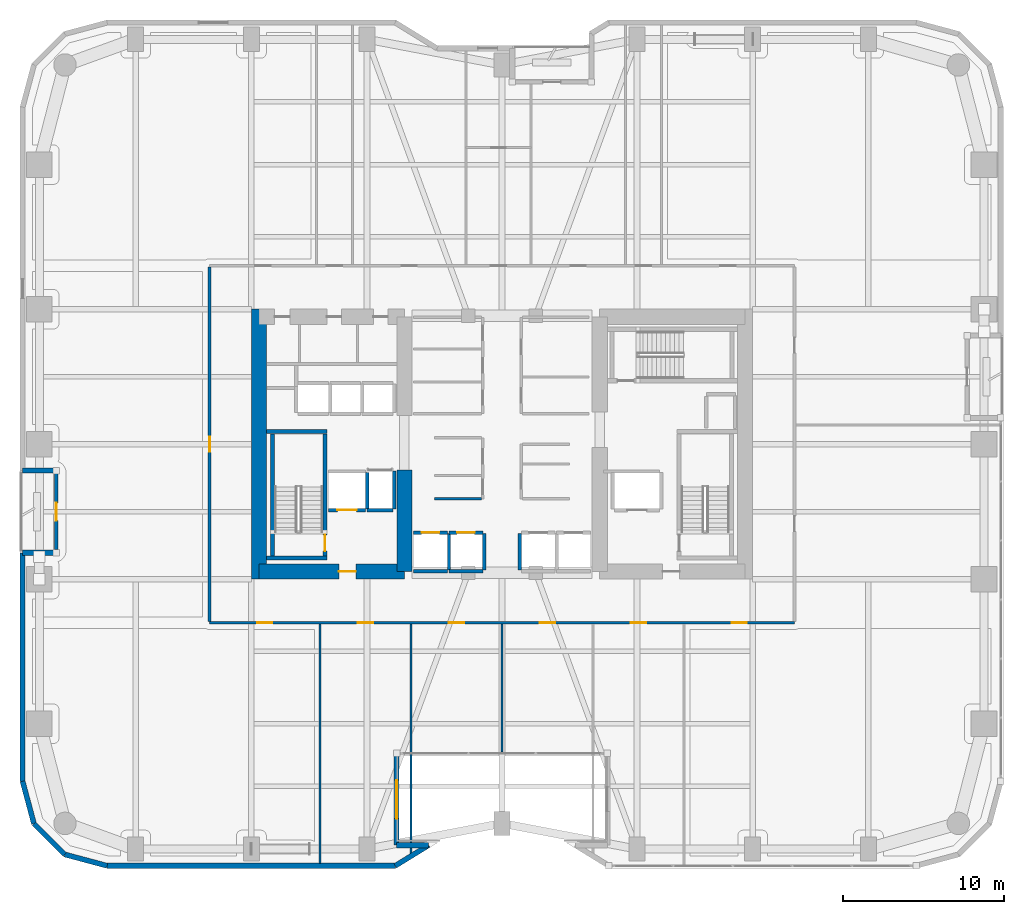
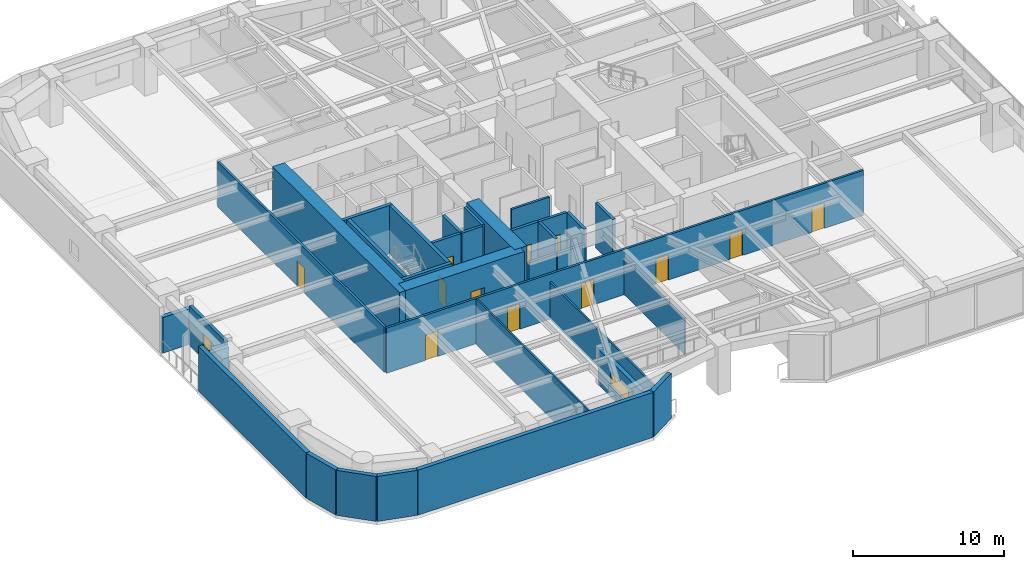
# One storey, part 18 of 26: 35 walls, 13 doors, 1 window, 14 openings.
"""IFC4 building model written with IfcOpenShell, lengths in metres."""

from ifc_helpers import new_model, si_unit, direction, frame, frame_2d, origin, place, context, subcontext, project, spatial, rectangle, extrude, material, layer, layer_set, type_object, element, fill, save


model = new_model("IFC4")

# Units and contexts
model_context = context("Model", 3, precision=1e-05, world=origin(), true_north=direction((0.0, 1.0)))
body_context = subcontext(model_context, "Body", "Model", "MODEL_VIEW")
ifc_project = project(units=[si_unit("LENGTHUNIT", "METRE"), si_unit("AREAUNIT", "SQUARE_METRE"), si_unit("VOLUMEUNIT", "CUBIC_METRE"), si_unit("PLANEANGLEUNIT", "RADIAN"), si_unit("MASSUNIT", "GRAM", prefix="KILO")], contexts=[model_context])

# Site, building, storey
site_placement = place(None, origin())
site = spatial("IfcSite", under=ifc_project, at=site_placement, CompositionType="ELEMENT")
building_placement = place(site_placement, origin())
building = spatial("IfcBuilding", under=site, at=building_placement, Name="Kiyonajd Concourse Tower", CompositionType="ELEMENT")
storey_placement = place(building_placement, frame((0.0, 0.0, 72.89990234375)))
storey = spatial("IfcBuildingStorey", under=building, at=storey_placement, Name="L19", CompositionType="ELEMENT", Elevation=72.89990234375)

# Walls
ifc_material_1 = material(Name="Concrete C80/95", Category="concrete")
ifc_layer_1 = layer(ifc_material_1, 0.949951171875)
ifc_layer_set_1 = layer_set([ifc_layer_1], Name="Concrete C80/95")
wall_type_1 = type_object("IfcWallType", Name="WL-CORE-950", PredefinedType="SHEAR", material=ifc_layer_set_1)
wall_1_placement = place(storey_placement, frame((32.875, 27.60009765625, 0.0), z_axis=(0.0, 0.0, 1.0), x_axis=(0.0, 1.0, 0.0)))
element("IfcWall", 1, at=wall_1_placement, inside=storey, type_object=wall_type_1, Name="L19 West Core Outer Shear Wall", PredefinedType="SHEAR", context=body_context, shape_type="SweptSolid", body=[
    extrude(rectangle(XDim=16.7998046875, YDim=0.949951171875, at=frame_2d((8.39990234375, 0.0))), origin(), (0.0, 0.0, 1.0), 3.900146484375),
])
wall_2_placement = place(storey_placement, frame((41.925048828125, 28.074951171875, 0.0), z_axis=(0.0, 0.0, 1.0), x_axis=(0.0, 1.0, 0.0)))
element("IfcWall", 2, at=wall_2_placement, inside=storey, type_object=wall_type_1, Name="L19 West Core Inner South Shear Wall", PredefinedType="SHEAR", context=body_context, shape_type="SweptSolid", body=[
    extrude(rectangle(XDim=6.324951171875, YDim=0.949951171875, at=frame_2d((3.16259765625, 0.0))), origin(), (0.0, 0.0, 1.0), 3.900146484375),
])

# Wall, opening, door
wall_3_placement = place(storey_placement, frame((32.875, 28.074951171875, 0.0), z_axis=(0.0, 0.0, 1.0), x_axis=(1.0, 0.0, 0.0)))
wall_3 = element("IfcWall", 3, at=wall_3_placement, inside=storey, type_object=wall_type_1, Name="L19 West Core South Shear Wall", PredefinedType="SHEAR", context=body_context, shape_type="SweptSolid", body=[
    extrude(rectangle(XDim=9.050048828125, YDim=0.949951171875, at=frame_2d((4.52490234375, 0.0))), origin(), (0.0, 0.0, 1.0), 3.900146484375),
])
opening_1_placement = place(wall_3_placement, frame((4.97509765625, 0.0, 0.0)))
opening_1 = element("IfcOpeningElement", 4, at=opening_1_placement, cuts=wall_3, Name="Opening DF5", PredefinedType="OPENING", context=body_context, shape_type="SweptSolid", body=[
    extrude(rectangle(XDim=1.050048828125, YDim=2.0400390625, at=frame_2d((0.52490234375, 1.02001953125))), frame((0.0, 0.48486328125, 0.0), z_axis=(0.0, -1.0, 0.0), x_axis=(1.0, 0.0, 0.0)), (0.0, 0.0, 1.0), 0.969970703125),
])
ifc_material_2 = material(Name="Brushed Stainless Steel Cab Assembly", Category="steel")
door_type_1 = type_object("IfcDoorType", Name="DR-FD45-1050", OperationType="NOTDEFINED", PredefinedType="DOOR", material=ifc_material_2)
door_1_placement = place(opening_1_placement, origin())
door_1 = element("IfcDoor", 5, at=door_1_placement, inside=storey, type_object=door_type_1, Name="L19 Firefighting Lift Lobby W Smoke Door", OperationType="SINGLE_SWING_LEFT", OverallHeight=2.0400390625, OverallWidth=1.050048828125, PredefinedType="DOOR", context=body_context, shape_type="SweptSolid", body=[
    extrude(rectangle(XDim=1.050048828125, YDim=2.0400390625, at=frame_2d((0.52490234375, 1.02001953125))), frame((0.0, 0.02490234375, 0.0), z_axis=(0.0, -1.0, 0.0), x_axis=(1.0, 0.0, 0.0)), (0.0, 0.0, 1.0), 0.050048828125),
])
fill(opening_1, door_1)

# Wall, opening, window
ifc_material_3 = material(Name="Precast concrete C50/60", Category="concrete")
ifc_layer_2 = layer(ifc_material_3, 0.320068359375)
ifc_layer_set_2 = layer_set([ifc_layer_2], Name="Precast concrete C50/60")
wall_type_2 = type_object("IfcWallType", Name="WL-EXT-320", PredefinedType="SOLIDWALL", material=ifc_layer_set_2)
wall_4_placement = place(storey_placement, frame((41.43994140625, 16.760009765625, 0.0), z_axis=(0.0, 0.0, 1.0), x_axis=(0.0, -1.0, 0.0)))
wall_4 = element("IfcWall", 6, at=wall_4_placement, inside=storey, type_object=wall_type_2, Name="L19 Exterior Concrete Frame Wall 14", PredefinedType="SOLIDWALL", context=body_context, shape_type="SweptSolid", body=[
    extrude(rectangle(XDim=5.719970703125, YDim=0.320068359375, at=frame_2d((2.85986328125, 0.0))), origin(), (0.0, 0.0, 1.0), 2.875),
])
opening_2_placement = place(wall_4_placement, frame((1.659912109375, 0.0, 0.85009765625)))
opening_2 = element("IfcOpeningElement", 7, at=opening_2_placement, cuts=wall_4, Name="Opening WN4", PredefinedType="OPENING", context=body_context, shape_type="SweptSolid", body=[
    extrude(rectangle(XDim=2.39990234375, YDim=1.14990234375, at=frame_2d((1.199951171875, 0.574951171875))), frame((0.0, 0.169921875, 0.0), z_axis=(0.0, -1.0, 0.0), x_axis=(1.0, 0.0, 0.0)), (0.0, 0.0, 1.0), 0.340087890625),
])
ifc_material_4 = material(Name="Double Low-E Insulated Glass", Category="glass")
window_type = type_object("IfcWindowType", Name="WN-VIS-2400x1150", PartitioningType="SINGLE_PANEL", PredefinedType="WINDOW", material=ifc_material_4)
window_placement = place(opening_2_placement, origin())
window = element("IfcWindow", 8, at=window_placement, inside=storey, type_object=window_type, Name="L19 Modular Facade Vision Window 14", OverallHeight=1.14990234375, OverallWidth=2.39990234375, PartitioningType="SINGLE_PANEL", PredefinedType="WINDOW", context=body_context, shape_type="SweptSolid", body=[
    extrude(rectangle(XDim=2.39990234375, YDim=1.14990234375, at=frame_2d((1.199951171875, 0.574951171875))), frame((0.0, 0.030029296875, 0.0), z_axis=(0.0, -1.0, 0.0), x_axis=(1.0, 0.0, 0.0)), (0.0, 0.0, 1.0), 0.06005859375),
])
fill(opening_2, window)

# Walls
wall_5_placement = place(storey_placement, frame((41.43994140625, 11.0400390625, 0.0), z_axis=(0.0, 0.0, 1.0), x_axis=(1.0, 0.0, 0.0)))
element("IfcWall", 9, at=wall_5_placement, inside=storey, type_object=wall_type_2, Name="L19 Exterior Concrete Frame Wall 15", PredefinedType="SOLIDWALL", context=body_context, shape_type="SweptSolid", body=[
    extrude(rectangle(XDim=1.994873046875, YDim=0.320068359375, at=frame_2d((0.99755859375, 0.0))), origin(), (0.0, 0.0, 1.0), 2.875),
])
wall_6_placement = place(storey_placement, frame((43.434814453125, 11.0400390625, 0.0), z_axis=(0.0, 0.0, 1.0), x_axis=(-0.8516617488, -0.524091848469, 0.0)))
element("IfcWall", 10, at=wall_6_placement, inside=storey, type_object=wall_type_2, Name="L19 Exterior Concrete Frame Wall 16", PredefinedType="SOLIDWALL", context=body_context, shape_type="SweptSolid", body=[
    extrude(rectangle(XDim=2.4423828125, YDim=0.320068359375, at=frame_2d((1.22119140625, 0.0))), origin(), (0.0, 0.0, 1.0), 3.64013671875),
])
wall_7_placement = place(storey_placement, frame((41.354736328125, 9.760009765625, 0.0), z_axis=(0.0, 0.0, 1.0), x_axis=(-1.0, 0.0, 0.0)))
element("IfcWall", 11, at=wall_7_placement, inside=storey, type_object=wall_type_2, Name="L19 Exterior Concrete Frame Wall 17", PredefinedType="SOLIDWALL", context=body_context, shape_type="SweptSolid", body=[
    extrude(rectangle(XDim=17.93359375, YDim=0.320068359375, at=frame_2d((8.966796875, 0.0))), origin(), (0.0, 0.0, 1.0), 3.64013671875),
])
wall_8_placement = place(storey_placement, frame((23.421142578125, 9.760009765625, 0.0), z_axis=(0.0, 0.0, 1.0), x_axis=(-0.965964405026, 0.25867502435, 0.0)))
element("IfcWall", 12, at=wall_8_placement, inside=storey, type_object=wall_type_2, Name="L19 Exterior Concrete Frame Wall 18", PredefinedType="SOLIDWALL", context=body_context, shape_type="SweptSolid", body=[
    extrude(rectangle(XDim=2.7314453125, YDim=0.320068359375, at=frame_2d((1.36572265625, 0.0))), origin(), (0.0, 0.0, 1.0), 3.64013671875),
])
wall_9_placement = place(storey_placement, frame((20.78271484375, 10.466552734375, 0.0), z_axis=(0.0, 0.0, 1.0), x_axis=(-0.707106781187, 0.707106781187, 0.0)))
element("IfcWall", 13, at=wall_9_placement, inside=storey, type_object=wall_type_2, Name="L19 Exterior Concrete Frame Wall 19", PredefinedType="SOLIDWALL", context=body_context, shape_type="SweptSolid", body=[
    extrude(rectangle(XDim=2.7099609375, YDim=0.320068359375, at=frame_2d((1.35498046875, 0.0))), origin(), (0.0, 0.0, 1.0), 3.64013671875),
])
wall_10_placement = place(storey_placement, frame((18.866455078125, 12.3828125, 0.0), z_axis=(0.0, 0.0, 1.0), x_axis=(-0.25869736047, 0.965958423373, 0.0)))
element("IfcWall", 14, at=wall_10_placement, inside=storey, type_object=wall_type_2, Name="L19 Exterior Concrete Frame Wall 20", PredefinedType="SOLIDWALL", context=body_context, shape_type="SweptSolid", body=[
    extrude(rectangle(XDim=2.731201171875, YDim=0.320068359375, at=frame_2d((1.36572265625, 0.0))), origin(), (0.0, 0.0, 1.0), 3.64013671875),
])
wall_11_placement = place(storey_placement, frame((18.159912109375, 15.02099609375, 0.0), z_axis=(0.0, 0.0, 1.0), x_axis=(0.0, 1.0, 0.0)))
element("IfcWall", 15, at=wall_11_placement, inside=storey, type_object=wall_type_2, Name="L19 Exterior Concrete Frame Wall 21", PredefinedType="SOLIDWALL", context=body_context, shape_type="SweptSolid", body=[
    extrude(rectangle(XDim=14.218994140625, YDim=0.320068359375, at=frame_2d((7.109375, 0.0))), origin(), (0.0, 0.0, 1.0), 3.64013671875),
])
for number, where, z_axis, x_axis, name in (
    (16, (18.159912109375, 29.239990234375, 0.0), (0.0, 0.0, 1.0), (1.0, 0.0, 0.0), "L19 Exterior Concrete Frame Wall 22"),
    (17, (20.260009765625, 34.360107421875, 0.0), (0.0, 0.0, 1.0), (-1.0, 0.0, 0.0), "L19 Exterior Concrete Frame Wall 24"),
):
    element("IfcWall", number, at=place(storey_placement, frame(where, z_axis=z_axis, x_axis=x_axis)), inside=storey, type_object=wall_type_2, Name=name, PredefinedType="SOLIDWALL", context=body_context, shape_type="SweptSolid", body=[
        extrude(rectangle(XDim=2.10009765625, YDim=0.320068359375, at=frame_2d((1.050048828125, 0.0))), origin(), (0.0, 0.0, 1.0), 2.875),
    ])

# Wall, opening, door
ifc_layer_3 = layer(ifc_material_3, 0.239990234375)
ifc_layer_set_3 = layer_set([ifc_layer_3], Name="Precast concrete C50/60")
wall_type_3 = type_object("IfcWallType", Name="WL-LOG-240", PredefinedType="SOLIDWALL", material=ifc_layer_set_3)
wall_12_placement = place(storey_placement, frame((20.260009765625, 29.43505859375, 0.0), z_axis=(0.0, 0.0, 1.0), x_axis=(0.0, 1.0, 0.0)))
wall_12 = element("IfcWall", 18, at=wall_12_placement, inside=storey, type_object=wall_type_3, Name="L19 Recessed Loggia Thermal Wall LOG-W", PredefinedType="SOLIDWALL", context=body_context, shape_type="SweptSolid", body=[
    extrude(rectangle(XDim=4.72998046875, YDim=0.239990234375, at=frame_2d((2.364990234375, 0.0))), origin(), (0.0, 0.0, 1.0), 3.162109375),
])
opening_3_placement = place(wall_12_placement, frame((1.81494140625, 0.0, 0.0)))
opening_3 = element("IfcOpeningElement", 19, at=opening_3_placement, cuts=wall_12, Name="Opening DL2", PredefinedType="OPENING", context=body_context, shape_type="SweptSolid", body=[
    extrude(rectangle(XDim=1.10009765625, YDim=2.0400390625, at=frame_2d((0.550048828125, 1.02001953125))), frame((0.0, 0.1298828125, 0.0), z_axis=(0.0, -1.0, 0.0), x_axis=(1.0, 0.0, 0.0)), (0.0, 0.0, 1.0), 0.260009765625),
])
ifc_material_5 = material(Name="Thermally Broken Anodised Aluminium", Category="aluminium")
door_type_2 = type_object("IfcDoorType", Name="DR-LOG-1100", OperationType="NOTDEFINED", PredefinedType="DOOR", material=ifc_material_5)
door_2_placement = place(opening_3_placement, origin())
door_2 = element("IfcDoor", 20, at=door_2_placement, inside=storey, type_object=door_type_2, Name="L19 Engawa Loggia Access Door LOG-W", OperationType="SINGLE_SWING_LEFT", OverallHeight=2.0400390625, OverallWidth=1.10009765625, PredefinedType="DOOR", context=body_context, shape_type="SweptSolid", body=[
    extrude(rectangle(XDim=1.10009765625, YDim=2.0400390625, at=frame_2d((0.550048828125, 1.02001953125))), frame((0.0, 0.02490234375, 0.0), z_axis=(0.0, -1.0, 0.0), x_axis=(1.0, 0.0, 0.0)), (0.0, 0.0, 1.0), 0.050048828125),
])
fill(opening_3, door_2)

# Walls
ifc_material_6 = material(Name="Gypsum Board on Cold-Formed Steel Stud", Category="steel")
ifc_layer_4 = layer(ifc_material_6, 0.125)
ifc_layer_set_4 = layer_set([ifc_layer_4], Name="Gypsum Board on Cold-Formed Steel Stud")
wall_type_4 = type_object("IfcWallType", Name="WL-PART-125", PredefinedType="PARTITIONING", material=ifc_layer_set_4)
wall_13_placement = place(storey_placement, frame((36.669921875, 9.9150390625, 0.0), z_axis=(0.0, 0.0, 1.0), x_axis=(0.0, 1.0, 0.0)))
element("IfcWall", 21, at=wall_13_placement, inside=storey, type_object=wall_type_4, Name="L19 Interior Partition Wall", PredefinedType="PARTITIONING", context=body_context, shape_type="SweptSolid", body=[
    extrude(rectangle(XDim=14.887939453125, YDim=0.125, at=frame_2d((7.44384765625, 0.0))), origin(), (0.0, 0.0, 1.0), 3.64013671875),
])
wall_14_placement = place(storey_placement, frame((42.330078125, 10.514892578125, 0.0), z_axis=(0.0, 0.0, 1.0), x_axis=(0.0, 1.0, 0.0)))
element("IfcWall", 22, at=wall_14_placement, inside=storey, type_object=wall_type_4, Name="L19 Interior Partition Wall", PredefinedType="PARTITIONING", context=body_context, shape_type="SweptSolid", body=[
    extrude(rectangle(XDim=14.2880859375, YDim=0.125, at=frame_2d((7.14404296875, 0.0))), origin(), (0.0, 0.0, 1.0), 3.003173828125),
])
wall_15_placement = place(storey_placement, frame((48.0, 16.844970703125, 0.0), z_axis=(0.0, 0.0, 1.0), x_axis=(0.0, 1.0, 0.0)))
element("IfcWall", 23, at=wall_15_placement, inside=storey, type_object=wall_type_4, Name="L19 Interior Partition Wall", PredefinedType="PARTITIONING", context=body_context, shape_type="SweptSolid", body=[
    extrude(rectangle(XDim=7.9580078125, YDim=0.125, at=frame_2d((3.97900390625, 0.0))), origin(), (0.0, 0.0, 1.0), 2.93017578125),
])

# Wall, opening, door
ifc_layer_5 = layer(ifc_material_6, 0.2099609375)
ifc_layer_set_5 = layer_set([ifc_layer_5], Name="Gypsum Board on Cold-Formed Steel Stud")
wall_type_5 = type_object("IfcWallType", Name="WL-SHAFT-210", PredefinedType="PARTITIONING", material=ifc_layer_set_5)
wall_16_placement = place(storey_placement, frame((37.199951171875, 31.89990234375, 0.0), z_axis=(0.0, 0.0, 1.0), x_axis=(1.0, 0.0, 0.0)))
wall_16 = element("IfcWall", 24, at=wall_16_placement, inside=storey, type_object=wall_type_5, Name="L19 Shaft Enclosure Wall", PredefinedType="PARTITIONING", context=body_context, shape_type="SweptSolid", body=[
    extrude(rectangle(XDim=2.300048828125, YDim=0.2099609375, at=frame_2d((1.14990234375, 0.0))), origin(), (0.0, 0.0, 1.0), 3.64013671875),
])
opening_4_placement = place(wall_16_placement, frame((0.550048828125, 0.0, 0.0)))
opening_4 = element("IfcOpeningElement", 25, at=opening_4_placement, cuts=wall_16, Name="Opening LD2", PredefinedType="OPENING", context=body_context, shape_type="SweptSolid", body=[
    extrude(rectangle(XDim=1.199951171875, YDim=2.0400390625, at=frame_2d((0.60009765625, 1.02001953125))), frame((0.0, 0.114990234375, 0.0), z_axis=(0.0, -1.0, 0.0), x_axis=(1.0, 0.0, 0.0)), (0.0, 0.0, 1.0), 0.22998046875),
])
door_type_3 = type_object("IfcDoorType", Name="DR-LD-1200", OperationType="DOUBLE_DOOR_SLIDING", PredefinedType="DOOR", material=ifc_material_2)
door_3_placement = place(opening_4_placement, origin())
door_3 = element("IfcDoor", 26, at=door_3_placement, inside=storey, type_object=door_type_3, Name="L19 Lift FFL1 Sliding Landing Door", OperationType="DOUBLE_DOOR_SLIDING", OverallHeight=2.0400390625, OverallWidth=1.199951171875, PredefinedType="DOOR", context=body_context, shape_type="SweptSolid", body=[
    extrude(rectangle(XDim=1.199951171875, YDim=2.0400390625, at=frame_2d((0.60009765625, 1.02001953125))), frame((0.0, 0.02490234375, 0.0), z_axis=(0.0, -1.0, 0.0), x_axis=(1.0, 0.0, 0.0)), (0.0, 0.0, 1.0), 0.050048828125),
])
fill(opening_4, door_3)

# Walls
wall_17_placement = place(storey_placement, frame((39.60009765625, 31.9599609375, 0.0), z_axis=(0.0, 0.0, 1.0), x_axis=(0.0, 1.0, 0.0)))
element("IfcWall", 27, at=wall_17_placement, inside=storey, type_object=wall_type_5, Name="L19 Shaft Enclosure Wall", PredefinedType="PARTITIONING", context=body_context, shape_type="SweptSolid", body=[
    extrude(rectangle(XDim=2.280029296875, YDim=0.2099609375, at=frame_2d((1.14013671875, 0.0))), origin(), (0.0, 0.0, 1.0), 3.64013671875),
])
wall_18_placement = place(storey_placement, frame((39.60009765625, 31.89990234375, 0.0), z_axis=(0.0, 0.0, 1.0), x_axis=(1.0, 0.0, 0.0)))
element("IfcWall", 28, at=wall_18_placement, inside=storey, type_object=wall_type_5, Name="L19 Shaft Enclosure Wall", PredefinedType="PARTITIONING", context=body_context, shape_type="SweptSolid", body=[
    extrude(rectangle(XDim=1.599853515625, YDim=0.2099609375, at=frame_2d((0.7998046875, 0.0))), origin(), (0.0, 0.0, 1.0), 3.64013671875),
])
wall_19_placement = place(storey_placement, frame((41.300048828125, 31.9599609375, 0.0), z_axis=(0.0, 0.0, 1.0), x_axis=(0.0, 1.0, 0.0)))
element("IfcWall", 29, at=wall_19_placement, inside=storey, type_object=wall_type_5, Name="L19 Shaft Enclosure Wall", PredefinedType="PARTITIONING", context=body_context, shape_type="SweptSolid", body=[
    extrude(rectangle(XDim=2.380126953125, YDim=0.2099609375, at=frame_2d((1.18994140625, 0.0))), origin(), (0.0, 0.0, 1.0), 3.64013671875),
])

# Wall, opening, door
wall_20_placement = place(storey_placement, frame((42.5, 30.5, 0.0), z_axis=(0.0, 0.0, 1.0), x_axis=(1.0, 0.0, 0.0)))
wall_20 = element("IfcWall", 30, at=wall_20_placement, inside=storey, type_object=wall_type_5, Name="L19 Shaft Enclosure Wall", PredefinedType="PARTITIONING", context=body_context, shape_type="SweptSolid", body=[
    extrude(rectangle(XDim=2.10009765625, YDim=0.2099609375, at=frame_2d((1.050048828125, 0.0))), origin(), (0.0, 0.0, 1.0), 3.64013671875),
])
opening_5_placement = place(wall_20_placement, frame((0.5, 0.0, 0.0)))
opening_5 = element("IfcOpeningElement", 31, at=opening_5_placement, cuts=wall_20, Name="Opening LD1", PredefinedType="OPENING", context=body_context, shape_type="SweptSolid", body=[
    extrude(rectangle(XDim=1.10009765625, YDim=2.0400390625, at=frame_2d((0.550048828125, 1.02001953125))), frame((0.0, 0.114990234375, 0.0), z_axis=(0.0, -1.0, 0.0), x_axis=(1.0, 0.0, 0.0)), (0.0, 0.0, 1.0), 0.22998046875),
])
door_type_4 = type_object("IfcDoorType", Name="DR-LD-1100", OperationType="DOUBLE_DOOR_SLIDING", PredefinedType="DOOR", material=ifc_material_2)
door_4_placement = place(opening_5_placement, origin())
door_4 = element("IfcDoor", 32, at=door_4_placement, inside=storey, type_object=door_type_4, Name="L19 Lift PL-L1 Sliding Landing Door", OperationType="DOUBLE_DOOR_SLIDING", OverallHeight=2.0400390625, OverallWidth=1.10009765625, PredefinedType="DOOR", context=body_context, shape_type="SweptSolid", body=[
    extrude(rectangle(XDim=1.10009765625, YDim=2.0400390625, at=frame_2d((0.550048828125, 1.02001953125))), frame((0.0, 0.02490234375, 0.0), z_axis=(0.0, -1.0, 0.0), x_axis=(1.0, 0.0, 0.0)), (0.0, 0.0, 1.0), 0.050048828125),
])
fill(opening_5, door_4)

# Walls
wall_21_placement = place(storey_placement, frame((42.5, 28.10009765625, 0.0), z_axis=(0.0, 0.0, 1.0), x_axis=(1.0, 0.0, 0.0)))
element("IfcWall", 33, at=wall_21_placement, inside=storey, type_object=wall_type_5, Name="L19 Shaft Enclosure Wall", PredefinedType="PARTITIONING", context=body_context, shape_type="SweptSolid", body=[
    extrude(rectangle(XDim=2.10009765625, YDim=0.2099609375, at=frame_2d((1.050048828125, 0.0))), origin(), (0.0, 0.0, 1.0), 2.525146484375),
])
wall_22_placement = place(storey_placement, frame((44.699951171875, 28.159912109375, 0.0), z_axis=(0.0, 0.0, 1.0), x_axis=(0.0, 1.0, 0.0)))
element("IfcWall", 34, at=wall_22_placement, inside=storey, type_object=wall_type_5, Name="L19 Shaft Enclosure Wall", PredefinedType="PARTITIONING", context=body_context, shape_type="SweptSolid", body=[
    extrude(rectangle(XDim=2.280029296875, YDim=0.2099609375, at=frame_2d((1.14013671875, 0.0))), origin(), (0.0, 0.0, 1.0), 3.64013671875),
])

# Wall, opening, door
wall_23_placement = place(storey_placement, frame((44.699951171875, 30.5, 0.0), z_axis=(0.0, 0.0, 1.0), x_axis=(1.0, 0.0, 0.0)))
wall_23 = element("IfcWall", 35, at=wall_23_placement, inside=storey, type_object=wall_type_5, Name="L19 Shaft Enclosure Wall", PredefinedType="PARTITIONING", context=body_context, shape_type="SweptSolid", body=[
    extrude(rectangle(XDim=2.10009765625, YDim=0.2099609375, at=frame_2d((1.050048828125, 0.0))), origin(), (0.0, 0.0, 1.0), 3.64013671875),
])
opening_6_placement = place(wall_23_placement, frame((0.5, 0.0, 0.0)))
opening_6 = element("IfcOpeningElement", 36, at=opening_6_placement, cuts=wall_23, Name="Opening LD1", PredefinedType="OPENING", context=body_context, shape_type="SweptSolid", body=[
    extrude(rectangle(XDim=1.10009765625, YDim=2.0400390625, at=frame_2d((0.550048828125, 1.02001953125))), frame((0.0, 0.114990234375, 0.0), z_axis=(0.0, -1.0, 0.0), x_axis=(1.0, 0.0, 0.0)), (0.0, 0.0, 1.0), 0.22998046875),
])
door_5_placement = place(opening_6_placement, origin())
door_5 = element("IfcDoor", 37, at=door_5_placement, inside=storey, type_object=door_type_4, Name="L19 Lift PL-L2 Sliding Landing Door", OperationType="DOUBLE_DOOR_SLIDING", OverallHeight=2.0400390625, OverallWidth=1.10009765625, PredefinedType="DOOR", context=body_context, shape_type="SweptSolid", body=[
    extrude(rectangle(XDim=1.10009765625, YDim=2.0400390625, at=frame_2d((0.550048828125, 1.02001953125))), frame((0.0, 0.02490234375, 0.0), z_axis=(0.0, -1.0, 0.0), x_axis=(1.0, 0.0, 0.0)), (0.0, 0.0, 1.0), 0.050048828125),
])
fill(opening_6, door_5)

# Walls
wall_24_placement = place(storey_placement, frame((44.699951171875, 28.10009765625, 0.0), z_axis=(0.0, 0.0, 1.0), x_axis=(1.0, 0.0, 0.0)))
element("IfcWall", 38, at=wall_24_placement, inside=storey, type_object=wall_type_5, Name="L19 Shaft Enclosure Wall", PredefinedType="PARTITIONING", context=body_context, shape_type="SweptSolid", body=[
    extrude(rectangle(XDim=2.10009765625, YDim=0.2099609375, at=frame_2d((1.050048828125, 0.0))), origin(), (0.0, 0.0, 1.0), 2.525146484375),
])
for number, where, z_axis, x_axis, name in (
    (39, (46.89990234375, 28.159912109375, 0.0), (0.0, 0.0, 1.0), (0.0, 1.0, 0.0), "L19 Shaft Enclosure Wall"),
    (40, (49.10009765625, 28.159912109375, 0.0), (0.0, 0.0, 1.0), (0.0, 1.0, 0.0), "L19 Shaft Enclosure Wall"),
):
    element("IfcWall", number, at=place(storey_placement, frame(where, z_axis=z_axis, x_axis=x_axis)), inside=storey, type_object=wall_type_5, Name=name, PredefinedType="PARTITIONING", context=body_context, shape_type="SweptSolid", body=[
        extrude(rectangle(XDim=2.280029296875, YDim=0.2099609375, at=frame_2d((1.14013671875, 0.0))), origin(), (0.0, 0.0, 1.0), 3.64013671875),
    ])
ifc_layer_6 = layer(ifc_material_6, 0.169921875)
ifc_layer_set_6 = layer_set([ifc_layer_6], Name="Gypsum Board on Cold-Formed Steel Stud")
wall_type_6 = type_object("IfcWallType", Name="WL-SMK-170", PredefinedType="PARTITIONING", material=ifc_layer_set_6)
wall_25_placement = place(storey_placement, frame((43.800048828125, 32.60009765625, 0.0), z_axis=(0.0, 0.0, 1.0), x_axis=(1.0, 0.0, 0.0)))
element("IfcWall", 41, at=wall_25_placement, inside=storey, type_object=wall_type_6, Name="L19 Interior Partition Wall", PredefinedType="PARTITIONING", context=body_context, shape_type="SweptSolid", body=[
    extrude(rectangle(XDim=2.912841796875, YDim=0.169921875, at=frame_2d((1.45654296875, 0.0))), origin(), (0.0, 0.0, 1.0), 3.64013671875),
])

# Wall, openings, doors
wall_26_placement = place(storey_placement, frame((29.800048828125, 24.889892578125, 0.0), z_axis=(0.0, 0.0, 1.0), x_axis=(1.0, 0.0, 0.0)))
wall_26 = element("IfcWall", 42, at=wall_26_placement, inside=storey, type_object=wall_type_6, Name="L19 Interior Partition Wall", PredefinedType="PARTITIONING", context=body_context, shape_type="SweptSolid", body=[
    extrude(rectangle(XDim=36.39990234375, YDim=0.169921875, at=frame_2d((18.199951171875, 0.0))), origin(), (0.0, 0.0, 1.0), 3.64013671875),
])
opening_7_placement = place(wall_26_placement, frame((2.9599609375, 0.0, 0.0)))
opening_7 = element("IfcOpeningElement", 43, at=opening_7_placement, cuts=wall_26, Name="Opening DI1", PredefinedType="OPENING", context=body_context, shape_type="SweptSolid", body=[
    extrude(rectangle(XDim=0.949951171875, YDim=2.0400390625, at=frame_2d((0.47509765625, 1.02001953125))), frame((0.0, 0.094970703125, 0.0), z_axis=(0.0, -1.0, 0.0), x_axis=(1.0, 0.0, 0.0)), (0.0, 0.0, 1.0), 0.18994140625),
])
opening_8_placement = place(wall_26_placement, frame((9.22509765625, 0.0, 0.0)))
opening_8 = element("IfcOpeningElement", 44, at=opening_8_placement, cuts=wall_26, Name="Opening DI1", PredefinedType="OPENING", context=body_context, shape_type="SweptSolid", body=[
    extrude(rectangle(XDim=0.949951171875, YDim=2.0400390625, at=frame_2d((0.47509765625, 1.02001953125))), frame((0.0, 0.094970703125, 0.0), z_axis=(0.0, -1.0, 0.0), x_axis=(1.0, 0.0, 0.0)), (0.0, 0.0, 1.0), 0.18994140625),
])
opening_9_placement = place(wall_26_placement, frame((14.889892578125, 0.0, 0.0)))
opening_9 = element("IfcOpeningElement", 45, at=opening_9_placement, cuts=wall_26, Name="Opening DI1", PredefinedType="OPENING", context=body_context, shape_type="SweptSolid", body=[
    extrude(rectangle(XDim=0.949951171875, YDim=2.0400390625, at=frame_2d((0.47509765625, 1.02001953125))), frame((0.0, 0.094970703125, 0.0), z_axis=(0.0, -1.0, 0.0), x_axis=(1.0, 0.0, 0.0)), (0.0, 0.0, 1.0), 0.18994140625),
])
opening_10_placement = place(wall_26_placement, frame((20.56005859375, 0.0, 0.0)))
opening_10 = element("IfcOpeningElement", 46, at=opening_10_placement, cuts=wall_26, Name="Opening DI1", PredefinedType="OPENING", context=body_context, shape_type="SweptSolid", body=[
    extrude(rectangle(XDim=0.949951171875, YDim=2.0400390625, at=frame_2d((0.47509765625, 1.02001953125))), frame((0.0, 0.094970703125, 0.0), z_axis=(0.0, -1.0, 0.0), x_axis=(1.0, 0.0, 0.0)), (0.0, 0.0, 1.0), 0.18994140625),
])
opening_11_placement = place(wall_26_placement, frame((26.22509765625, 0.0, 0.0)))
opening_11 = element("IfcOpeningElement", 47, at=opening_11_placement, cuts=wall_26, Name="Opening DI1", PredefinedType="OPENING", context=body_context, shape_type="SweptSolid", body=[
    extrude(rectangle(XDim=0.949951171875, YDim=2.0400390625, at=frame_2d((0.47509765625, 1.02001953125))), frame((0.0, 0.094970703125, 0.0), z_axis=(0.0, -1.0, 0.0), x_axis=(1.0, 0.0, 0.0)), (0.0, 0.0, 1.0), 0.18994140625),
])
opening_12_placement = place(wall_26_placement, frame((32.489990234375, 0.0, 0.0)))
opening_12 = element("IfcOpeningElement", 48, at=opening_12_placement, cuts=wall_26, Name="Opening DI1", PredefinedType="OPENING", context=body_context, shape_type="SweptSolid", body=[
    extrude(rectangle(XDim=0.949951171875, YDim=2.0400390625, at=frame_2d((0.47509765625, 1.02001953125))), frame((0.0, 0.094970703125, 0.0), z_axis=(0.0, -1.0, 0.0), x_axis=(1.0, 0.0, 0.0)), (0.0, 0.0, 1.0), 0.18994140625),
])
ifc_material_7 = material(Name="Natural Oak Acoustic Timber Veneer", Category="wood")
door_type_5 = type_object("IfcDoorType", Name="DR-INT-950", OperationType="NOTDEFINED", PredefinedType="DOOR", material=ifc_material_7)
door_6_placement = place(opening_7_placement, origin())
door_6 = element("IfcDoor", 49, at=door_6_placement, inside=storey, type_object=door_type_5, Name="L19 Interior Door", OperationType="SINGLE_SWING_RIGHT", OverallHeight=2.0400390625, OverallWidth=0.949951171875, PredefinedType="DOOR", context=body_context, shape_type="SweptSolid", body=[
    extrude(rectangle(XDim=0.949951171875, YDim=2.0400390625, at=frame_2d((0.47509765625, 1.02001953125))), frame((0.0, 0.02490234375, 0.0), z_axis=(0.0, -1.0, 0.0), x_axis=(1.0, 0.0, 0.0)), (0.0, 0.0, 1.0), 0.050048828125),
])
fill(opening_7, door_6)
door_7_placement = place(opening_8_placement, origin())
door_7 = element("IfcDoor", 50, at=door_7_placement, inside=storey, type_object=door_type_5, Name="L19 Interior Door", OperationType="SINGLE_SWING_LEFT", OverallHeight=2.0400390625, OverallWidth=0.949951171875, PredefinedType="DOOR", context=body_context, shape_type="SweptSolid", body=[
    extrude(rectangle(XDim=0.949951171875, YDim=2.0400390625, at=frame_2d((0.47509765625, 1.02001953125))), frame((0.0, 0.02490234375, 0.0), z_axis=(0.0, -1.0, 0.0), x_axis=(1.0, 0.0, 0.0)), (0.0, 0.0, 1.0), 0.050048828125),
])
fill(opening_8, door_7)
door_8_placement = place(opening_9_placement, origin())
door_8 = element("IfcDoor", 51, at=door_8_placement, inside=storey, type_object=door_type_5, Name="L19 Interior Door", OperationType="SINGLE_SWING_RIGHT", OverallHeight=2.0400390625, OverallWidth=0.949951171875, PredefinedType="DOOR", context=body_context, shape_type="SweptSolid", body=[
    extrude(rectangle(XDim=0.949951171875, YDim=2.0400390625, at=frame_2d((0.47509765625, 1.02001953125))), frame((0.0, 0.02490234375, 0.0), z_axis=(0.0, -1.0, 0.0), x_axis=(1.0, 0.0, 0.0)), (0.0, 0.0, 1.0), 0.050048828125),
])
fill(opening_9, door_8)
door_9_placement = place(opening_10_placement, origin())
door_9 = element("IfcDoor", 52, at=door_9_placement, inside=storey, type_object=door_type_5, Name="L19 Interior Door", OperationType="SINGLE_SWING_LEFT", OverallHeight=2.0400390625, OverallWidth=0.949951171875, PredefinedType="DOOR", context=body_context, shape_type="SweptSolid", body=[
    extrude(rectangle(XDim=0.949951171875, YDim=2.0400390625, at=frame_2d((0.47509765625, 1.02001953125))), frame((0.0, 0.02490234375, 0.0), z_axis=(0.0, -1.0, 0.0), x_axis=(1.0, 0.0, 0.0)), (0.0, 0.0, 1.0), 0.050048828125),
])
fill(opening_10, door_9)
door_10_placement = place(opening_11_placement, origin())
door_10 = element("IfcDoor", 53, at=door_10_placement, inside=storey, type_object=door_type_5, Name="L19 Interior Door", OperationType="SINGLE_SWING_RIGHT", OverallHeight=2.0400390625, OverallWidth=0.949951171875, PredefinedType="DOOR", context=body_context, shape_type="SweptSolid", body=[
    extrude(rectangle(XDim=0.949951171875, YDim=2.0400390625, at=frame_2d((0.47509765625, 1.02001953125))), frame((0.0, 0.02490234375, 0.0), z_axis=(0.0, -1.0, 0.0), x_axis=(1.0, 0.0, 0.0)), (0.0, 0.0, 1.0), 0.050048828125),
])
fill(opening_11, door_10)
door_11_placement = place(opening_12_placement, origin())
door_11 = element("IfcDoor", 54, at=door_11_placement, inside=storey, type_object=door_type_5, Name="L19 Interior Door", OperationType="SINGLE_SWING_LEFT", OverallHeight=2.0400390625, OverallWidth=0.949951171875, PredefinedType="DOOR", context=body_context, shape_type="SweptSolid", body=[
    extrude(rectangle(XDim=0.949951171875, YDim=2.0400390625, at=frame_2d((0.47509765625, 1.02001953125))), frame((0.0, 0.02490234375, 0.0), z_axis=(0.0, -1.0, 0.0), x_axis=(1.0, 0.0, 0.0)), (0.0, 0.0, 1.0), 0.050048828125),
])
fill(opening_12, door_11)

# Wall, opening, door
wall_27_placement = place(storey_placement, frame((29.800048828125, 24.97705078125, 0.0), z_axis=(0.0, 0.0, 1.0), x_axis=(0.0, 1.0, 0.0)))
wall_27 = element("IfcWall", 55, at=wall_27_placement, inside=storey, type_object=wall_type_6, Name="L19 Interior Partition Wall", PredefinedType="PARTITIONING", context=body_context, shape_type="SweptSolid", body=[
    extrude(rectangle(XDim=22.0458984375, YDim=0.169921875, at=frame_2d((11.02294921875, 0.0))), origin(), (0.0, 0.0, 1.0), 3.64013671875),
])
opening_13_placement = place(wall_27_placement, frame((10.548095703125, 0.0, 0.0)))
opening_13 = element("IfcOpeningElement", 56, at=opening_13_placement, cuts=wall_27, Name="Opening DI1", PredefinedType="OPENING", context=body_context, shape_type="SweptSolid", body=[
    extrude(rectangle(XDim=0.949951171875, YDim=2.0400390625, at=frame_2d((0.47509765625, 1.02001953125))), frame((0.0, 0.094970703125, 0.0), z_axis=(0.0, -1.0, 0.0), x_axis=(1.0, 0.0, 0.0)), (0.0, 0.0, 1.0), 0.18994140625),
])
door_12_placement = place(opening_13_placement, origin())
door_12 = element("IfcDoor", 57, at=door_12_placement, inside=storey, type_object=door_type_5, Name="L19 Interior Door", OperationType="SINGLE_SWING_RIGHT", OverallHeight=2.0400390625, OverallWidth=0.949951171875, PredefinedType="DOOR", context=body_context, shape_type="SweptSolid", body=[
    extrude(rectangle(XDim=0.949951171875, YDim=2.0400390625, at=frame_2d((0.47509765625, 1.02001953125))), frame((0.0, 0.02490234375, 0.0), z_axis=(0.0, -1.0, 0.0), x_axis=(1.0, 0.0, 0.0)), (0.0, 0.0, 1.0), 0.050048828125),
])
fill(opening_13, door_12)

# Walls
ifc_material_8 = material(Name="Concrete C50/60", Category="concrete")
ifc_layer_7 = layer(ifc_material_8, 0.260009765625)
ifc_layer_set_7 = layer_set([ifc_layer_7], Name="Concrete C50/60")
wall_type_7 = type_object("IfcWallType", Name="WL-STAIR-260", PredefinedType="SHEAR", material=ifc_layer_set_7)
for number, where, z_axis, x_axis, name in (
    (58, (33.35009765625, 28.919921875, 0.0), (0.0, 0.0, 1.0), (1.0, 0.0, 0.0), "L19 Stair ST1 Structural South Wall"),
    (59, (33.35009765625, 36.780029296875, 0.0), (0.0, 0.0, 1.0), (1.0, 0.0, 0.0), "L19 Stair ST1 Structural North Wall"),
):
    element("IfcWall", number, at=place(storey_placement, frame(where, z_axis=z_axis, x_axis=x_axis)), inside=storey, type_object=wall_type_7, Name=name, PredefinedType="SHEAR", context=body_context, shape_type="SweptSolid", body=[
        extrude(rectangle(XDim=3.760009765625, YDim=0.260009765625, at=frame_2d((1.8798828125, 0.0))), origin(), (0.0, 0.0, 1.0), 3.900146484375),
    ])
wall_28_placement = place(storey_placement, frame((33.719970703125, 29.050048828125, 0.0), z_axis=(0.0, 0.0, 1.0), x_axis=(0.0, 1.0, 0.0)))
element("IfcWall", 60, at=wall_28_placement, inside=storey, type_object=wall_type_7, Name="L19 Stair ST1 Structural West Wall", PredefinedType="SHEAR", context=body_context, shape_type="SweptSolid", body=[
    extrude(rectangle(XDim=7.599853515625, YDim=0.260009765625, at=frame_2d((3.7998046875, 0.0))), origin(), (0.0, 0.0, 1.0), 3.900146484375),
])

# Wall, opening, door
wall_29_placement = place(storey_placement, frame((36.97998046875, 29.050048828125, 0.0), z_axis=(0.0, 0.0, 1.0), x_axis=(0.0, 1.0, 0.0)))
wall_29 = element("IfcWall", 61, at=wall_29_placement, inside=storey, type_object=wall_type_7, Name="L19 Stair ST1 Structural East Wall", PredefinedType="SHEAR", context=body_context, shape_type="SweptSolid", body=[
    extrude(rectangle(XDim=7.599853515625, YDim=0.260009765625, at=frame_2d((3.7998046875, 0.0))), origin(), (0.0, 0.0, 1.0), 3.900146484375),
])
opening_14_placement = place(wall_29_placement, frame((0.300048828125, 0.0, 0.0)))
opening_14 = element("IfcOpeningElement", 62, at=opening_14_placement, cuts=wall_29, Name="Opening DF1", PredefinedType="OPENING", context=body_context, shape_type="SweptSolid", body=[
    extrude(rectangle(XDim=1.0, YDim=2.0400390625, at=frame_2d((0.5, 1.02001953125))), frame((0.0, 0.139892578125, 0.0), z_axis=(0.0, -1.0, 0.0), x_axis=(1.0, 0.0, 0.0)), (0.0, 0.0, 1.0), 0.280029296875),
])
door_type_6 = type_object("IfcDoorType", Name="DR-FD90-1000", OperationType="NOTDEFINED", PredefinedType="DOOR", material=ifc_material_2)
door_13_placement = place(opening_14_placement, origin())
door_13 = element("IfcDoor", 63, at=door_13_placement, inside=storey, type_object=door_type_6, Name="L19 Stair ST1 FSAE Door", OperationType="SINGLE_SWING_LEFT", OverallHeight=2.0400390625, OverallWidth=1.0, PredefinedType="DOOR", context=body_context, shape_type="SweptSolid", body=[
    extrude(rectangle(XDim=1.0, YDim=2.0400390625, at=frame_2d((0.5, 1.02001953125))), frame((0.0, 0.02490234375, 0.0), z_axis=(0.0, -1.0, 0.0), x_axis=(1.0, 0.0, 0.0)), (0.0, 0.0, 1.0), 0.050048828125),
])
fill(opening_14, door_13)

save(model, "model.ifc")
